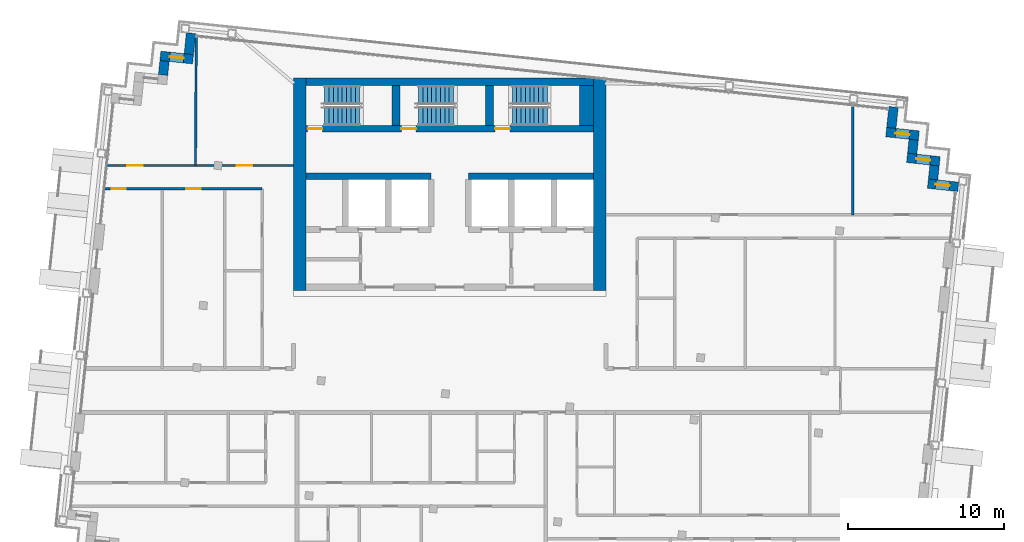
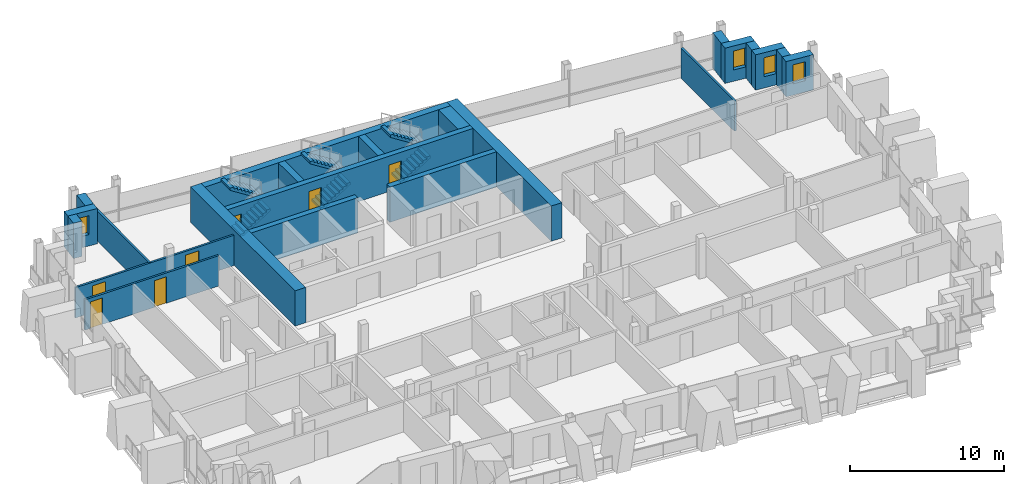
# One storey, part 12 of 16: 22 walls, 7 doors, 6 stair flights, 4 windows, 11 openings, 3 elements without a shape of their own.
"""IFC4 building model written with IfcOpenShell, lengths in metres."""

from ifc_helpers import new_model, si_unit, direction, frame, frame_2d, origin, place, context, subcontext, project, spatial, polyline, rectangle, outline, extrude, material, layer, layer_set, type_object, element, fill, aggregate, save


model = new_model("IFC4")

# Units and contexts
model_context = context("Model", 3, precision=1e-05, world=origin(), true_north=direction((0.0, 1.0)))
body_context = subcontext(model_context, "Body", "Model", "MODEL_VIEW")
ifc_project = project(units=[si_unit("LENGTHUNIT", "METRE"), si_unit("AREAUNIT", "SQUARE_METRE"), si_unit("VOLUMEUNIT", "CUBIC_METRE"), si_unit("PLANEANGLEUNIT", "RADIAN"), si_unit("MASSUNIT", "GRAM", prefix="KILO")], contexts=[model_context])

# Site, building, storey
site_placement = place(None, origin())
site = spatial("IfcSite", under=ifc_project, at=site_placement, CompositionType="ELEMENT")
building_placement = place(site_placement, origin())
building = spatial("IfcBuilding", under=site, at=building_placement, Name="Vidyagriha Tower", CompositionType="ELEMENT")
storey_placement = place(building_placement, frame((0.0, 0.0, 278.699951171875)))
storey = spatial("IfcBuildingStorey", under=building, at=storey_placement, Name="L73", CompositionType="ELEMENT", Elevation=278.699951171875)

# Wall, opening, window
ifc_material_1 = material(Name="Precast concrete C40/50 with brick facing", Category="concrete")
ifc_layer_1 = layer(ifc_material_1, 0.60009765625)
ifc_layer_set_1 = layer_set([ifc_layer_1], Name="Precast concrete C40/50 with brick facing")
wall_type_1 = type_object("IfcWallType", Name="Brick-faced precast wall 600", PredefinedType="STANDARD", material=ifc_layer_set_1)
wall_1_placement = place(storey_placement, frame((32.536376953125, 13.03125, 0.0), z_axis=(0.0, 0.0, 1.0), x_axis=(-0.994534226826, 0.104411070641, 0.0)))
wall_1 = element("IfcWall", 1, at=wall_1_placement, inside=storey, type_object=wall_type_1, Name="Stepped corner wall L73 R01", PredefinedType="STANDARD", context=body_context, shape_type="SweptSolid", body=[
    extrude(rectangle(XDim=1.9501953125, YDim=0.60009765625, at=frame_2d((0.97509765625, 0.0))), origin(), (0.0, 0.0, 1.0), 2.800048828125),
])
opening_1_placement = place(wall_1_placement, frame((0.559814453125, 0.0, 0.89990234375)))
opening_1 = element("IfcOpeningElement", 2, at=opening_1_placement, cuts=wall_1, Name="Opening WN1", PredefinedType="OPENING", context=body_context, shape_type="SweptSolid", body=[
    extrude(rectangle(XDim=0.89990234375, YDim=1.5, at=frame_2d((0.449951171875, 0.75))), frame((0.0, 0.31005859375, 0.0), z_axis=(0.0, -1.0, 0.0), x_axis=(1.0, 0.0, 0.0)), (0.0, 0.0, 1.0), 0.6201171875),
])
ifc_material_2 = material(Name="Aluminium and glass window", Category="aluminium")
window_type = type_object("IfcWindowType", Name="Reveal window 900x1500", PartitioningType="NOTDEFINED", PredefinedType="WINDOW", material=ifc_material_2)
window_1_placement = place(opening_1_placement, origin())
window_1 = element("IfcWindow", 3, at=window_1_placement, inside=storey, type_object=window_type, Name="Reveal window L73 R01", OverallHeight=1.5, OverallWidth=0.89990234375, PartitioningType="SINGLE_PANEL", PredefinedType="WINDOW", context=body_context, shape_type="SweptSolid", body=[
    extrude(rectangle(XDim=0.89990234375, YDim=1.5, at=frame_2d((0.449951171875, 0.75))), frame((0.0, 0.030029296875, 0.0), z_axis=(0.0, -1.0, 0.0), x_axis=(1.0, 0.0, 0.0)), (0.0, 0.0, 1.0), 0.06005859375),
])
fill(opening_1, window_1)

# Wall
wall_2_placement = place(storey_placement, frame((30.9267578125, 13.501953125, 0.0), z_axis=(0.0, 0.0, 1.0), x_axis=(0.104416541099, 0.994533652495, 0.0)))
element("IfcWall", 4, at=wall_2_placement, inside=storey, type_object=wall_type_1, Name="Stepped corner wall L73 R02", PredefinedType="STANDARD", context=body_context, shape_type="SweptSolid", body=[
    extrude(rectangle(XDim=0.900146484375, YDim=0.60009765625, at=frame_2d((0.4501953125, 0.0))), origin(), (0.0, 0.0, 1.0), 2.800048828125),
])

# Wall, opening, window
wall_3_placement = place(storey_placement, frame((31.3505859375, 14.6640625, 0.0), z_axis=(0.0, 0.0, 1.0), x_axis=(-0.994523910136, 0.104509292252, 0.0)))
wall_3 = element("IfcWall", 5, at=wall_3_placement, inside=storey, type_object=wall_type_1, Name="Stepped corner wall L73 R03", PredefinedType="STANDARD", context=body_context, shape_type="SweptSolid", body=[
    extrude(rectangle(XDim=2.10009765625, YDim=0.60009765625, at=frame_2d((1.050048828125, 0.0))), origin(), (0.0, 0.0, 1.0), 2.800048828125),
])
opening_2_placement = place(wall_3_placement, frame((0.60009765625, 0.0, 0.89990234375)))
opening_2 = element("IfcOpeningElement", 6, at=opening_2_placement, cuts=wall_3, Name="Opening WN1", PredefinedType="OPENING", context=body_context, shape_type="SweptSolid", body=[
    extrude(rectangle(XDim=0.89990234375, YDim=1.5, at=frame_2d((0.449951171875, 0.75))), frame((0.0, 0.31005859375, 0.0), z_axis=(0.0, -1.0, 0.0), x_axis=(1.0, 0.0, 0.0)), (0.0, 0.0, 1.0), 0.6201171875),
])
window_2_placement = place(opening_2_placement, origin())
window_2 = element("IfcWindow", 7, at=window_2_placement, inside=storey, type_object=window_type, Name="Reveal window L73 R03", OverallHeight=1.5, OverallWidth=0.89990234375, PartitioningType="SINGLE_PANEL", PredefinedType="WINDOW", context=body_context, shape_type="SweptSolid", body=[
    extrude(rectangle(XDim=0.89990234375, YDim=1.5, at=frame_2d((0.449951171875, 0.75))), frame((0.0, 0.030029296875, 0.0), z_axis=(0.0, -1.0, 0.0), x_axis=(1.0, 0.0, 0.0)), (0.0, 0.0, 1.0), 0.06005859375),
])
fill(opening_2, window_2)

# Wall
wall_4_placement = place(storey_placement, frame((29.591796875, 15.150634765625, 0.0), z_axis=(0.0, 0.0, 1.0), x_axis=(0.104444712852, 0.994530694326, 0.0)))
element("IfcWall", 8, at=wall_4_placement, inside=storey, type_object=wall_type_1, Name="Stepped corner wall L73 R04", PredefinedType="STANDARD", context=body_context, shape_type="SweptSolid", body=[
    extrude(rectangle(XDim=0.89990234375, YDim=0.60009765625, at=frame_2d((0.449951171875, 0.0))), origin(), (0.0, 0.0, 1.0), 2.800048828125),
])

# Wall, opening, window
wall_5_placement = place(storey_placement, frame((30.015380859375, 16.3125, 0.0), z_axis=(0.0, 0.0, 1.0), x_axis=(-0.994510548187, 0.104636368175, 0.0)))
wall_5 = element("IfcWall", 9, at=wall_5_placement, inside=storey, type_object=wall_type_1, Name="Stepped corner wall L73 R05", PredefinedType="STANDARD", context=body_context, shape_type="SweptSolid", body=[
    extrude(rectangle(XDim=2.099853515625, YDim=0.60009765625, at=frame_2d((1.0498046875, 0.0))), origin(), (0.0, 0.0, 1.0), 2.800048828125),
])
opening_3_placement = place(wall_5_placement, frame((0.60009765625, 0.0, 0.89990234375)))
opening_3 = element("IfcOpeningElement", 10, at=opening_3_placement, cuts=wall_5, Name="Opening WN1", PredefinedType="OPENING", context=body_context, shape_type="SweptSolid", body=[
    extrude(rectangle(XDim=0.89990234375, YDim=1.5, at=frame_2d((0.449951171875, 0.75))), frame((0.0, 0.31005859375, 0.0), z_axis=(0.0, -1.0, 0.0), x_axis=(1.0, 0.0, 0.0)), (0.0, 0.0, 1.0), 0.6201171875),
])
window_3_placement = place(opening_3_placement, origin())
window_3 = element("IfcWindow", 11, at=window_3_placement, inside=storey, type_object=window_type, Name="Reveal window L73 R05", OverallHeight=1.5, OverallWidth=0.89990234375, PartitioningType="SINGLE_PANEL", PredefinedType="WINDOW", context=body_context, shape_type="SweptSolid", body=[
    extrude(rectangle(XDim=0.89990234375, YDim=1.5, at=frame_2d((0.449951171875, 0.75))), frame((0.0, 0.030029296875, 0.0), z_axis=(0.0, -1.0, 0.0), x_axis=(1.0, 0.0, 0.0)), (0.0, 0.0, 1.0), 0.06005859375),
])
fill(opening_3, window_3)

# Walls
wall_6_placement = place(storey_placement, frame((28.256591796875, 16.79931640625, 0.0), z_axis=(0.0, 0.0, 1.0), x_axis=(0.104534153452, 0.994521297289, 0.0)))
element("IfcWall", 12, at=wall_6_placement, inside=storey, type_object=wall_type_1, Name="Stepped corner wall L73 R06", PredefinedType="STANDARD", context=body_context, shape_type="SweptSolid", body=[
    extrude(rectangle(XDim=1.349853515625, YDim=0.60009765625, at=frame_2d((0.6748046875, 0.0))), origin(), (0.0, 0.0, 1.0), 2.800048828125),
])
wall_7_placement = place(storey_placement, frame((-16.5546875, 22.866455078125, 0.0), z_axis=(0.0, 0.0, 1.0), x_axis=(-0.104515354875, -0.994523273029, 0.0)))
element("IfcWall", 13, at=wall_7_placement, inside=storey, type_object=wall_type_1, Name="Stepped corner wall L73 R08", PredefinedType="STANDARD", context=body_context, shape_type="SweptSolid", body=[
    extrude(rectangle(XDim=1.35009765625, YDim=0.60009765625, at=frame_2d((0.675048828125, 0.0))), origin(), (0.0, 0.0, 1.0), 2.800048828125),
])

# Wall, opening, window
wall_8_placement = place(storey_placement, frame((-16.4287109375, 21.194091796875, 0.0), z_axis=(0.0, 0.0, 1.0), x_axis=(-0.994522640205, 0.104521376379, 0.0)))
wall_8 = element("IfcWall", 14, at=wall_8_placement, inside=storey, type_object=wall_type_1, Name="Stepped corner wall L73 R09", PredefinedType="STANDARD", context=body_context, shape_type="SweptSolid", body=[
    extrude(rectangle(XDim=2.099853515625, YDim=0.60009765625, at=frame_2d((1.0498046875, 0.0))), origin(), (0.0, 0.0, 1.0), 2.800048828125),
])
opening_4_placement = place(wall_8_placement, frame((0.599853515625, 0.0, 0.89990234375)))
opening_4 = element("IfcOpeningElement", 15, at=opening_4_placement, cuts=wall_8, Name="Opening WN1", PredefinedType="OPENING", context=body_context, shape_type="SweptSolid", body=[
    extrude(rectangle(XDim=0.89990234375, YDim=1.5, at=frame_2d((0.449951171875, 0.75))), frame((0.0, 0.31005859375, 0.0), z_axis=(0.0, -1.0, 0.0), x_axis=(1.0, 0.0, 0.0)), (0.0, 0.0, 1.0), 0.6201171875),
])
window_4_placement = place(opening_4_placement, origin())
window_4 = element("IfcWindow", 16, at=window_4_placement, inside=storey, type_object=window_type, Name="Reveal window L73 R09", OverallHeight=1.5, OverallWidth=0.89990234375, PartitioningType="SINGLE_PANEL", PredefinedType="WINDOW", context=body_context, shape_type="SweptSolid", body=[
    extrude(rectangle(XDim=0.89990234375, YDim=1.5, at=frame_2d((0.449951171875, 0.75))), frame((0.0, 0.030029296875, 0.0), z_axis=(0.0, -1.0, 0.0), x_axis=(1.0, 0.0, 0.0)), (0.0, 0.0, 1.0), 0.06005859375),
])
fill(opening_4, window_4)

# Walls
wall_9_placement = place(storey_placement, frame((-18.250244140625, 21.083984375, 0.0), z_axis=(0.0, 0.0, 1.0), x_axis=(-0.104416541099, -0.994533652495, 0.0)))
element("IfcWall", 17, at=wall_9_placement, inside=storey, type_object=wall_type_1, Name="Stepped corner wall L73 R10", PredefinedType="STANDARD", context=body_context, shape_type="SweptSolid", body=[
    extrude(rectangle(XDim=0.900146484375, YDim=0.60009765625, at=frame_2d((0.4501953125, 0.0))), origin(), (0.0, 0.0, 1.0), 2.800048828125),
])
ifc_material_3 = material(Name="Concrete C60/75", Category="concrete")
ifc_layer_2 = layer(ifc_material_3, 0.39990234375)
ifc_layer_set_2 = layer_set([ifc_layer_2], Name="Concrete C60/75")
wall_type_2 = type_object("IfcWallType", Name="Core shear wall 400 mm", PredefinedType="SHEAR", material=ifc_layer_set_2)
for number, where, name in (
    (18, (-9.199951171875, 13.699951171875, 0.0), "Core row N rear wall"),
    (19, (1.199951171875, 13.699951171875, 0.0), "Core row N rear wall"),
):
    element("IfcWall", number, at=place(storey_placement, frame(where)), inside=storey, type_object=wall_type_2, Name=name, PredefinedType="SHEAR", context=body_context, shape_type="SweptSolid", body=[
        extrude(rectangle(XDim=8.0, YDim=0.39990234375, at=frame_2d((4.0, 0.0))), origin(), (0.0, 0.0, 1.0), 2.800048828125),
    ])

# Wall, openings, doors
wall_10_placement = place(storey_placement, frame((-9.199951171875, 16.75, 0.0)))
wall_10 = element("IfcWall", 20, at=wall_10_placement, inside=storey, type_object=wall_type_2, Name="Stair front wall", PredefinedType="SHEAR", context=body_context, shape_type="SweptSolid", body=[
    extrude(rectangle(XDim=18.39990234375, YDim=0.39990234375, at=frame_2d((9.199951171875, 0.0))), origin(), (0.0, 0.0, 1.0), 2.800048828125),
])
opening_5_placement = place(wall_10_placement, frame((0.10009765625, 0.0, 0.0)))
opening_5 = element("IfcOpeningElement", 21, at=opening_5_placement, cuts=wall_10, Name="Opening D73-06", PredefinedType="OPENING", context=body_context, shape_type="SweptSolid", body=[
    extrude(rectangle(XDim=0.949951171875, YDim=2.10009765625, at=frame_2d((0.47509765625, 1.050048828125))), frame((0.0, 0.2099609375, 0.0), z_axis=(0.0, -1.0, 0.0), x_axis=(1.0, 0.0, 0.0)), (0.0, 0.0, 1.0), 0.419921875),
])
opening_6_placement = place(wall_10_placement, frame((6.10009765625, 0.0, 0.0)))
opening_6 = element("IfcOpeningElement", 22, at=opening_6_placement, cuts=wall_10, Name="Opening D73-07", PredefinedType="OPENING", context=body_context, shape_type="SweptSolid", body=[
    extrude(rectangle(XDim=0.949951171875, YDim=2.10009765625, at=frame_2d((0.47509765625, 1.050048828125))), frame((0.0, 0.2099609375, 0.0), z_axis=(0.0, -1.0, 0.0), x_axis=(1.0, 0.0, 0.0)), (0.0, 0.0, 1.0), 0.419921875),
])
opening_7_placement = place(wall_10_placement, frame((12.10009765625, 0.0, 0.0)))
opening_7 = element("IfcOpeningElement", 23, at=opening_7_placement, cuts=wall_10, Name="Opening D73-08", PredefinedType="OPENING", context=body_context, shape_type="SweptSolid", body=[
    extrude(rectangle(XDim=0.949951171875, YDim=2.10009765625, at=frame_2d((0.47509765625, 1.050048828125))), frame((0.0, 0.2099609375, 0.0), z_axis=(0.0, -1.0, 0.0), x_axis=(1.0, 0.0, 0.0)), (0.0, 0.0, 1.0), 0.419921875),
])
ifc_material_4 = material(Name="Hollow metal door leaf")
door_type_1 = type_object("IfcDoorType", Name="Exit stair door 950 x 2100 mm EI 90", OperationType="NOTDEFINED", PredefinedType="DOOR", material=ifc_material_4)
door_1_placement = place(opening_5_placement, origin())
door_1 = element("IfcDoor", 24, at=door_1_placement, inside=storey, type_object=door_type_1, Name="Stair door ST1 L73", OperationType="SINGLE_SWING_LEFT", OverallHeight=2.10009765625, OverallWidth=0.949951171875, PredefinedType="DOOR", context=body_context, shape_type="SweptSolid", body=[
    extrude(rectangle(XDim=0.949951171875, YDim=2.10009765625, at=frame_2d((0.47509765625, 1.050048828125))), frame((0.0, 0.02490234375, 0.0), z_axis=(0.0, -1.0, 0.0), x_axis=(1.0, 0.0, 0.0)), (0.0, 0.0, 1.0), 0.050048828125),
])
fill(opening_5, door_1)
door_2_placement = place(opening_6_placement, origin())
door_2 = element("IfcDoor", 25, at=door_2_placement, inside=storey, type_object=door_type_1, Name="Stair door ST2 L73", OperationType="SINGLE_SWING_LEFT", OverallHeight=2.10009765625, OverallWidth=0.949951171875, PredefinedType="DOOR", context=body_context, shape_type="SweptSolid", body=[
    extrude(rectangle(XDim=0.949951171875, YDim=2.10009765625, at=frame_2d((0.47509765625, 1.050048828125))), frame((0.0, 0.02490234375, 0.0), z_axis=(0.0, -1.0, 0.0), x_axis=(1.0, 0.0, 0.0)), (0.0, 0.0, 1.0), 0.050048828125),
])
fill(opening_6, door_2)
door_3_placement = place(opening_7_placement, origin())
door_3 = element("IfcDoor", 26, at=door_3_placement, inside=storey, type_object=door_type_1, Name="Stair door ST3 L73", OperationType="SINGLE_SWING_LEFT", OverallHeight=2.10009765625, OverallWidth=0.949951171875, PredefinedType="DOOR", context=body_context, shape_type="SweptSolid", body=[
    extrude(rectangle(XDim=0.949951171875, YDim=2.10009765625, at=frame_2d((0.47509765625, 1.050048828125))), frame((0.0, 0.02490234375, 0.0), z_axis=(0.0, -1.0, 0.0), x_axis=(1.0, 0.0, 0.0)), (0.0, 0.0, 1.0), 0.050048828125),
])
fill(opening_7, door_3)

# Walls
ifc_material_5 = material(Name="Concrete C60/75", Category="concrete")
ifc_layer_3 = layer(ifc_material_5, 0.5)
ifc_layer_set_3 = layer_set([ifc_layer_3], Name="Concrete C60/75")
wall_type_3 = type_object("IfcWallType", Name="Core shear wall 500 mm", PredefinedType="SHEAR", material=ifc_layer_set_3)
wall_11_placement = place(storey_placement, frame((-9.199951171875, 19.75, 0.0)))
element("IfcWall", 27, at=wall_11_placement, inside=storey, type_object=wall_type_3, Name="Core north wall", PredefinedType="SHEAR", context=body_context, shape_type="SweptSolid", body=[
    extrude(rectangle(XDim=18.39990234375, YDim=0.5, at=frame_2d((9.199951171875, 0.0))), origin(), (0.0, 0.0, 1.0), 2.800048828125),
])
for number, where, z_axis, x_axis, name in (
    (28, (-3.449951171875, 16.949951171875, 0.0), (0.0, 0.0, 1.0), (0.0, 1.0, 0.0), "Stair partition wall 1"),
    (29, (2.550048828125, 16.949951171875, 0.0), (0.0, 0.0, 1.0), (0.0, 1.0, 0.0), "Stair partition wall 2"),
):
    element("IfcWall", number, at=place(storey_placement, frame(where, z_axis=z_axis, x_axis=x_axis)), inside=storey, type_object=wall_type_3, Name=name, PredefinedType="SHEAR", context=body_context, shape_type="SweptSolid", body=[
        extrude(rectangle(XDim=2.550048828125, YDim=0.5, at=frame_2d((1.27490234375, 0.0))), origin(), (0.0, 0.0, 1.0), 2.800048828125),
    ])
ifc_material_6 = material(Name="Concrete C60/75", Category="concrete")
ifc_layer_4 = layer(ifc_material_6, 0.800048828125)
ifc_layer_set_4 = layer_set([ifc_layer_4], Name="Concrete C60/75")
wall_type_4 = type_object("IfcWallType", Name="Core shear wall 800 mm", PredefinedType="SHEAR", material=ifc_layer_set_4)
for number, where, z_axis, x_axis, name in (
    (30, (-9.60009765625, 6.39990234375, 0.0), (0.0, 0.0, 1.0), (0.0, 1.0, 0.0), "Core west wall"),
    (31, (9.60009765625, 6.39990234375, 0.0), (0.0, 0.0, 1.0), (0.0, 1.0, 0.0), "Core east wall"),
):
    element("IfcWall", number, at=place(storey_placement, frame(where, z_axis=z_axis, x_axis=x_axis)), inside=storey, type_object=wall_type_4, Name=name, PredefinedType="SHEAR", context=body_context, shape_type="SweptSolid", body=[
        extrude(rectangle(XDim=13.60009765625, YDim=0.800048828125, at=frame_2d((6.800048828125, 0.0))), origin(), (0.0, 0.0, 1.0), 2.800048828125),
    ])
ifc_material_7 = material(Name="Concrete C60/75", Category="concrete")
ifc_layer_5 = layer(ifc_material_7, 0.89990234375)
ifc_layer_set_5 = layer_set([ifc_layer_5], Name="Concrete C60/75")
wall_type_5 = type_object("IfcWallType", Name="Core shear wall 900 mm", PredefinedType="SHEAR", material=ifc_layer_set_5)
wall_12_placement = place(storey_placement, frame((8.75, 16.949951171875, 0.0), z_axis=(0.0, 0.0, 1.0), x_axis=(0.0, 1.0, 0.0)))
element("IfcWall", 32, at=wall_12_placement, inside=storey, type_object=wall_type_5, Name="Stair end wall", PredefinedType="SHEAR", context=body_context, shape_type="SweptSolid", body=[
    extrude(rectangle(XDim=2.550048828125, YDim=0.89990234375, at=frame_2d((1.27490234375, 0.0))), origin(), (0.0, 0.0, 1.0), 2.800048828125),
])

# Wall, openings, doors
ifc_material_8 = material(Name="Gypsum board partition")
ifc_layer_6 = layer(ifc_material_8, 0.14990234375)
ifc_layer_set_6 = layer_set([ifc_layer_6], Name="Gypsum board partition")
wall_type_6 = type_object("IfcWallType", Name="Gypsum board partition 150", PredefinedType="PARTITIONING", material=ifc_layer_set_6)
wall_13_placement = place(storey_placement, frame((-12.0, 12.89990234375, 0.0), z_axis=(0.0, 0.0, 1.0), x_axis=(-1.0, 0.0, 0.0)))
wall_13 = element("IfcWall", 33, at=wall_13_placement, inside=storey, type_object=wall_type_6, Name="Wall all-L73-w065", PredefinedType="PARTITIONING", context=body_context, shape_type="SweptSolid", body=[
    extrude(rectangle(XDim=10.04736328125, YDim=0.14990234375, at=frame_2d((5.023681640625, 0.0))), origin(), (0.0, 0.0, 1.0), 2.400146484375),
])
opening_8_placement = place(wall_13_placement, frame((3.949951171875, 0.0, 0.0)))
opening_8 = element("IfcOpeningElement", 34, at=opening_8_placement, cuts=wall_13, Name="Opening D73-39", PredefinedType="OPENING", context=body_context, shape_type="SweptSolid", body=[
    extrude(rectangle(XDim=0.89990234375, YDim=2.10009765625, at=frame_2d((0.449951171875, 1.050048828125))), frame((0.0, 0.0849609375, 0.0), z_axis=(0.0, -1.0, 0.0), x_axis=(1.0, 0.0, 0.0)), (0.0, 0.0, 1.0), 0.169921875),
])
opening_9_placement = place(wall_13_placement, frame((8.743896484375, 0.0, 0.0)))
opening_9 = element("IfcOpeningElement", 35, at=opening_9_placement, cuts=wall_13, Name="Opening D73-40", PredefinedType="OPENING", context=body_context, shape_type="SweptSolid", body=[
    extrude(rectangle(XDim=0.89990234375, YDim=2.10009765625, at=frame_2d((0.449951171875, 1.050048828125))), frame((0.0, 0.0849609375, 0.0), z_axis=(0.0, -1.0, 0.0), x_axis=(1.0, 0.0, 0.0)), (0.0, 0.0, 1.0), 0.169921875),
])
ifc_material_9 = material(Name="Timber door leaf", Category="wood")
door_type_2 = type_object("IfcDoorType", Name="Room door 900x2100", OperationType="NOTDEFINED", PredefinedType="DOOR", material=ifc_material_9)
door_4_placement = place(opening_8_placement, origin())
door_4 = element("IfcDoor", 36, at=door_4_placement, inside=storey, type_object=door_type_2, Name="Door D73-39", OperationType="SINGLE_SWING_LEFT", OverallHeight=2.10009765625, OverallWidth=0.89990234375, PredefinedType="DOOR", context=body_context, shape_type="SweptSolid", body=[
    extrude(rectangle(XDim=0.89990234375, YDim=2.10009765625, at=frame_2d((0.449951171875, 1.050048828125))), frame((0.0, 0.02490234375, 0.0), z_axis=(0.0, -1.0, 0.0), x_axis=(1.0, 0.0, 0.0)), (0.0, 0.0, 1.0), 0.050048828125),
])
fill(opening_8, door_4)
door_5_placement = place(opening_9_placement, origin())
door_5 = element("IfcDoor", 37, at=door_5_placement, inside=storey, type_object=door_type_2, Name="Door D73-40", OperationType="SINGLE_SWING_RIGHT", OverallHeight=2.10009765625, OverallWidth=0.89990234375, PredefinedType="DOOR", context=body_context, shape_type="SweptSolid", body=[
    extrude(rectangle(XDim=0.89990234375, YDim=2.10009765625, at=frame_2d((0.449951171875, 1.050048828125))), frame((0.0, 0.02490234375, 0.0), z_axis=(0.0, -1.0, 0.0), x_axis=(1.0, 0.0, 0.0)), (0.0, 0.0, 1.0), 0.050048828125),
])
fill(opening_9, door_5)

wall_14_placement = place(storey_placement, frame((-21.889892578125, 14.39990234375, 0.0)))
wall_14 = element("IfcWall", 38, at=wall_14_placement, inside=storey, type_object=wall_type_6, Name="Wall all-L73-w068", PredefinedType="PARTITIONING", context=body_context, shape_type="SweptSolid", body=[
    extrude(rectangle(XDim=11.889892578125, YDim=0.14990234375, at=frame_2d((5.94482421875, 0.0))), origin(), (0.0, 0.0, 1.0), 2.400146484375),
])
opening_10_placement = place(wall_14_placement, frame((1.259765625, 0.0, 0.0)))
opening_10 = element("IfcOpeningElement", 39, at=opening_10_placement, cuts=wall_14, Name="Opening D73-41", PredefinedType="OPENING", context=body_context, shape_type="SweptSolid", body=[
    extrude(rectangle(XDim=1.0, YDim=2.10009765625, at=frame_2d((0.5, 1.050048828125))), frame((0.0, 0.0849609375, 0.0), z_axis=(0.0, -1.0, 0.0), x_axis=(1.0, 0.0, 0.0)), (0.0, 0.0, 1.0), 0.169921875),
])
opening_11_placement = place(wall_14_placement, frame((8.25390625, 0.0, 0.0)))
opening_11 = element("IfcOpeningElement", 40, at=opening_11_placement, cuts=wall_14, Name="Opening D73-42", PredefinedType="OPENING", context=body_context, shape_type="SweptSolid", body=[
    extrude(rectangle(XDim=1.0, YDim=2.10009765625, at=frame_2d((0.5, 1.050048828125))), frame((0.0, 0.0849609375, 0.0), z_axis=(0.0, -1.0, 0.0), x_axis=(1.0, 0.0, 0.0)), (0.0, 0.0, 1.0), 0.169921875),
])
ifc_material_10 = material(Name="Timber door leaf", Category="wood")
door_type_3 = type_object("IfcDoorType", Name="Room door 1000x2100", OperationType="NOTDEFINED", PredefinedType="DOOR", material=ifc_material_10)
door_6_placement = place(opening_10_placement, origin())
door_6 = element("IfcDoor", 41, at=door_6_placement, inside=storey, type_object=door_type_3, Name="Door D73-41", OperationType="SINGLE_SWING_LEFT", OverallHeight=2.10009765625, OverallWidth=1.0, PredefinedType="DOOR", context=body_context, shape_type="SweptSolid", body=[
    extrude(rectangle(XDim=1.0, YDim=2.10009765625, at=frame_2d((0.5, 1.050048828125))), frame((0.0, 0.02490234375, 0.0), z_axis=(0.0, -1.0, 0.0), x_axis=(1.0, 0.0, 0.0)), (0.0, 0.0, 1.0), 0.050048828125),
])
fill(opening_10, door_6)
door_7_placement = place(opening_11_placement, origin())
door_7 = element("IfcDoor", 42, at=door_7_placement, inside=storey, type_object=door_type_3, Name="Door D73-42", OperationType="SINGLE_SWING_RIGHT", OverallHeight=2.10009765625, OverallWidth=1.0, PredefinedType="DOOR", context=body_context, shape_type="SweptSolid", body=[
    extrude(rectangle(XDim=1.0, YDim=2.10009765625, at=frame_2d((0.5, 1.050048828125))), frame((0.0, 0.02490234375, 0.0), z_axis=(0.0, -1.0, 0.0), x_axis=(1.0, 0.0, 0.0)), (0.0, 0.0, 1.0), 0.050048828125),
])
fill(opening_11, door_7)

# Walls
wall_15_placement = place(storey_placement, frame((-16.221923828125, 22.6103515625, 0.0), z_axis=(0.0, 0.0, 1.0), x_axis=(-0.006095634594, -0.999981421447, 0.0)))
element("IfcWall", 43, at=wall_15_placement, inside=storey, type_object=wall_type_6, Name="Wall all-L73-w071", PredefinedType="PARTITIONING", context=body_context, shape_type="SweptSolid", body=[
    extrude(rectangle(XDim=8.210693359375, YDim=0.14990234375, at=frame_2d((4.10546875, 0.0))), origin(), (0.0, 0.0, 1.0), 2.400146484375),
])
wall_16_placement = place(storey_placement, frame((25.79638671875, 18.184814453125, 0.0), z_axis=(0.0, 0.0, 1.0), x_axis=(0.0, -1.0, 0.0)))
element("IfcWall", 44, at=wall_16_placement, inside=storey, type_object=wall_type_6, Name="Wall all-L73-w088", PredefinedType="PARTITIONING", context=body_context, shape_type="SweptSolid", body=[
    extrude(rectangle(XDim=6.94140625, YDim=0.14990234375, at=frame_2d((3.470703125, 0.0))), origin(), (0.0, 0.0, 1.0), 2.400146484375),
])

# Stair, stair flights
ifc_material_11 = material(Name="Concrete C40/50", Category="concrete")
stair_type = type_object("IfcStairType", Name="Exit stair, half-turn, precast flights", PredefinedType="HALF_TURN_STAIR", material=ifc_material_11)
stair_1_placement = place(storey_placement, origin())
stair_1 = element("IfcStair", 45, at=stair_1_placement, inside=storey, type_object=stair_type, Name="L73 Exit Stair ST1", PredefinedType="HALF_TURN_STAIR")
ifc_material_12 = material(Name="Precast concrete C40/50", Category="concrete")
stair_flight_type = type_object("IfcStairFlightType", Name="Exit stair flight 1200 mm, precast", PredefinedType="STRAIGHT", material=ifc_material_12)
stair_flight_1_placement = place(storey_placement, frame((-8.0, 17.550048828125, 0.0)))
stair_flight_1 = element("IfcStairFlight", 46, at=stair_flight_1_placement, type_object=stair_flight_type, Name="ST1 flight 1", NumberOfRisers=9, NumberOfTreads=8, PredefinedType="STRAIGHT", RiserHeight=0.177777778, TreadLength=0.28, context=body_context, shape_type="SweptSolid", body=[
    extrude(outline(polyline([(0.0, 0.0), (0.0, 0.177734375), (0.280029296875, 0.177734375), (0.280029296875, 0.35546875), (0.56005859375, 0.35546875), (0.56005859375, 0.533447265625), (0.840087890625, 0.533447265625), (0.840087890625, 0.711181640625), (1.1201171875, 0.711181640625), (1.1201171875, 0.888916015625), (1.39990234375, 0.888916015625), (1.39990234375, 1.066650390625), (1.679931640625, 1.066650390625), (1.679931640625, 1.244384765625), (1.9599609375, 1.244384765625), (1.9599609375, 1.422119140625), (2.239990234375, 1.422119140625), (2.239990234375, 1.60009765625), (2.239990234375, 1.24462890625), (0.27978515625, 0.0), (0.0, 0.0)])), frame((0.0, 0.60009765625, 0.0), z_axis=(0.0, -1.0, 0.0), x_axis=(1.0, 0.0, 0.0)), (0.0, 0.0, 1.0), 1.199951171875),
])
stair_flight_2_placement = place(storey_placement, frame((-5.760009765625, 18.89990234375, 1.60009765625), z_axis=(0.0, 0.0, 1.0), x_axis=(-1.0, 0.0, 0.0)))
stair_flight_2 = element("IfcStairFlight", 47, at=stair_flight_2_placement, type_object=stair_flight_type, Name="ST1 flight 2", NumberOfRisers=9, NumberOfTreads=8, PredefinedType="STRAIGHT", RiserHeight=0.177777778, TreadLength=0.28, context=body_context, shape_type="SweptSolid", body=[
    extrude(outline(polyline([(0.0, 0.0), (0.0, 0.177734375), (0.280029296875, 0.177734375), (0.280029296875, 0.35546875), (0.56005859375, 0.35546875), (0.56005859375, 0.533447265625), (0.840087890625, 0.533447265625), (0.840087890625, 0.711181640625), (1.1201171875, 0.711181640625), (1.1201171875, 0.888916015625), (1.39990234375, 0.888916015625), (1.39990234375, 1.066650390625), (1.679931640625, 1.066650390625), (1.679931640625, 1.244384765625), (1.9599609375, 1.244384765625), (1.9599609375, 1.422119140625), (2.239990234375, 1.422119140625), (2.239990234375, 1.60009765625), (2.239990234375, 1.24462890625), (0.27978515625, 0.0), (0.0, 0.0)])), frame((0.0, 0.60009765625, 0.0), z_axis=(0.0, -1.0, 0.0), x_axis=(1.0, 0.0, 0.0)), (0.0, 0.0, 1.0), 1.199951171875),
])
aggregate(stair_1, [stair_flight_1, stair_flight_2])

stair_2_placement = place(storey_placement, origin())
stair_2 = element("IfcStair", 48, at=stair_2_placement, inside=storey, type_object=stair_type, Name="L73 Exit Stair ST2", PredefinedType="HALF_TURN_STAIR")
stair_flight_3_placement = place(storey_placement, frame((-2.0, 17.550048828125, 0.0)))
stair_flight_3 = element("IfcStairFlight", 49, at=stair_flight_3_placement, type_object=stair_flight_type, Name="ST2 flight 1", NumberOfRisers=9, NumberOfTreads=8, PredefinedType="STRAIGHT", RiserHeight=0.177777778, TreadLength=0.28, context=body_context, shape_type="SweptSolid", body=[
    extrude(outline(polyline([(0.0, 0.0), (0.0, 0.177734375), (0.280029296875, 0.177734375), (0.280029296875, 0.35546875), (0.56005859375, 0.35546875), (0.56005859375, 0.533447265625), (0.840087890625, 0.533447265625), (0.840087890625, 0.711181640625), (1.1201171875, 0.711181640625), (1.1201171875, 0.888916015625), (1.39990234375, 0.888916015625), (1.39990234375, 1.066650390625), (1.679931640625, 1.066650390625), (1.679931640625, 1.244384765625), (1.9599609375, 1.244384765625), (1.9599609375, 1.422119140625), (2.239990234375, 1.422119140625), (2.239990234375, 1.60009765625), (2.239990234375, 1.24462890625), (0.27978515625, 0.0), (0.0, 0.0)])), frame((0.0, 0.60009765625, 0.0), z_axis=(0.0, -1.0, 0.0), x_axis=(1.0, 0.0, 0.0)), (0.0, 0.0, 1.0), 1.199951171875),
])
stair_flight_4_placement = place(storey_placement, frame((0.239990234375, 18.89990234375, 1.60009765625), z_axis=(0.0, 0.0, 1.0), x_axis=(-1.0, 0.0, 0.0)))
stair_flight_4 = element("IfcStairFlight", 50, at=stair_flight_4_placement, type_object=stair_flight_type, Name="ST2 flight 2", NumberOfRisers=9, NumberOfTreads=8, PredefinedType="STRAIGHT", RiserHeight=0.177777778, TreadLength=0.28, context=body_context, shape_type="SweptSolid", body=[
    extrude(outline(polyline([(0.0, 0.0), (0.0, 0.177734375), (0.280029296875, 0.177734375), (0.280029296875, 0.35546875), (0.56005859375, 0.35546875), (0.56005859375, 0.533447265625), (0.840087890625, 0.533447265625), (0.840087890625, 0.711181640625), (1.1201171875, 0.711181640625), (1.1201171875, 0.888916015625), (1.39990234375, 0.888916015625), (1.39990234375, 1.066650390625), (1.679931640625, 1.066650390625), (1.679931640625, 1.244384765625), (1.9599609375, 1.244384765625), (1.9599609375, 1.422119140625), (2.239990234375, 1.422119140625), (2.239990234375, 1.60009765625), (2.239990234375, 1.24462890625), (0.27978515625, 0.0), (0.0, 0.0)])), frame((0.0, 0.60009765625, 0.0), z_axis=(0.0, -1.0, 0.0), x_axis=(1.0, 0.0, 0.0)), (0.0, 0.0, 1.0), 1.199951171875),
])
aggregate(stair_2, [stair_flight_3, stair_flight_4])

stair_3_placement = place(storey_placement, origin())
stair_3 = element("IfcStair", 51, at=stair_3_placement, inside=storey, type_object=stair_type, Name="L73 Exit Stair ST3", PredefinedType="HALF_TURN_STAIR")
stair_flight_5_placement = place(storey_placement, frame((4.0, 17.550048828125, 0.0)))
stair_flight_5 = element("IfcStairFlight", 52, at=stair_flight_5_placement, type_object=stair_flight_type, Name="ST3 flight 1", NumberOfRisers=9, NumberOfTreads=8, PredefinedType="STRAIGHT", RiserHeight=0.177777778, TreadLength=0.28, context=body_context, shape_type="SweptSolid", body=[
    extrude(outline(polyline([(0.0, 0.0), (0.0, 0.177734375), (0.280029296875, 0.177734375), (0.280029296875, 0.35546875), (0.56005859375, 0.35546875), (0.56005859375, 0.533447265625), (0.840087890625, 0.533447265625), (0.840087890625, 0.711181640625), (1.1201171875, 0.711181640625), (1.1201171875, 0.888916015625), (1.39990234375, 0.888916015625), (1.39990234375, 1.066650390625), (1.679931640625, 1.066650390625), (1.679931640625, 1.244384765625), (1.9599609375, 1.244384765625), (1.9599609375, 1.422119140625), (2.239990234375, 1.422119140625), (2.239990234375, 1.60009765625), (2.239990234375, 1.24462890625), (0.27978515625, 0.0), (0.0, 0.0)])), frame((0.0, 0.60009765625, 0.0), z_axis=(0.0, -1.0, 0.0), x_axis=(1.0, 0.0, 0.0)), (0.0, 0.0, 1.0), 1.199951171875),
])
stair_flight_6_placement = place(storey_placement, frame((6.239990234375, 18.89990234375, 1.60009765625), z_axis=(0.0, 0.0, 1.0), x_axis=(-1.0, 0.0, 0.0)))
stair_flight_6 = element("IfcStairFlight", 53, at=stair_flight_6_placement, type_object=stair_flight_type, Name="ST3 flight 2", NumberOfRisers=9, NumberOfTreads=8, PredefinedType="STRAIGHT", RiserHeight=0.177777778, TreadLength=0.28, context=body_context, shape_type="SweptSolid", body=[
    extrude(outline(polyline([(0.0, 0.0), (0.0, 0.177734375), (0.280029296875, 0.177734375), (0.280029296875, 0.35546875), (0.56005859375, 0.35546875), (0.56005859375, 0.533447265625), (0.840087890625, 0.533447265625), (0.840087890625, 0.711181640625), (1.1201171875, 0.711181640625), (1.1201171875, 0.888916015625), (1.39990234375, 0.888916015625), (1.39990234375, 1.066650390625), (1.679931640625, 1.066650390625), (1.679931640625, 1.244384765625), (1.9599609375, 1.244384765625), (1.9599609375, 1.422119140625), (2.239990234375, 1.422119140625), (2.239990234375, 1.60009765625), (2.239990234375, 1.24462890625), (0.27978515625, 0.0), (0.0, 0.0)])), frame((0.0, 0.60009765625, 0.0), z_axis=(0.0, -1.0, 0.0), x_axis=(1.0, 0.0, 0.0)), (0.0, 0.0, 1.0), 1.199951171875),
])
aggregate(stair_3, [stair_flight_5, stair_flight_6])

save(model, "model.ifc")
